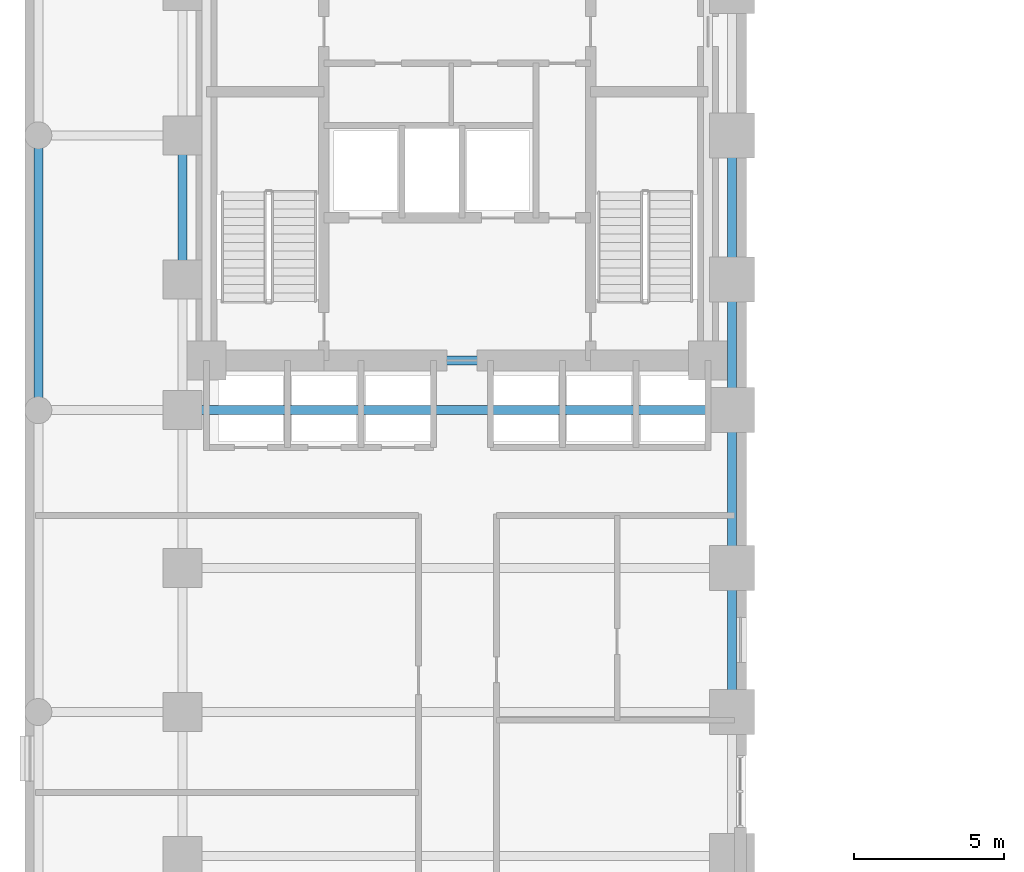
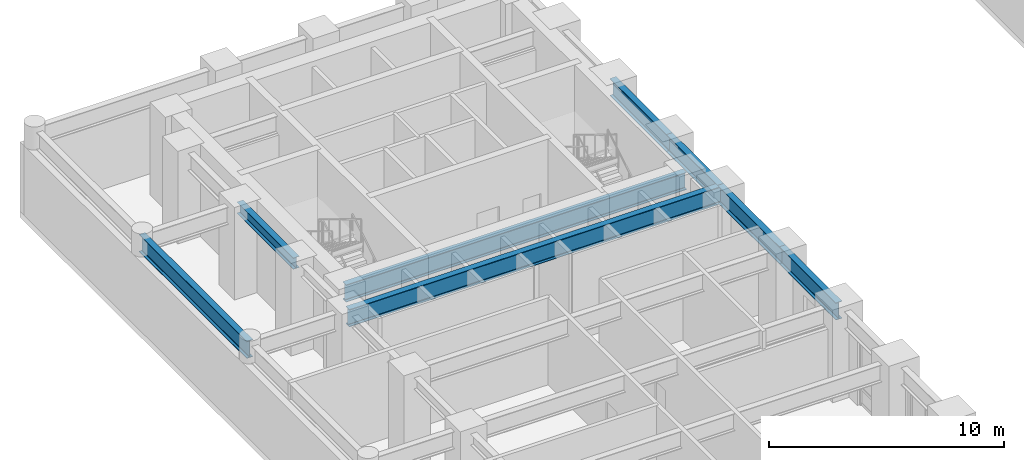
# One storey, part 3 of 11: 8 beams.
"""IFC4 building model written with IfcOpenShell, lengths in metres."""

from ifc_helpers import new_model, si_unit, direction, frame, origin, origin_2d, place, context, subcontext, project, spatial, i_section, extrude, material, material_profile, profile_set, type_object, element, save


model = new_model("IFC4")

# Units and contexts
model_context = context("Model", 3, precision=1e-05, world=origin(), true_north=direction((0.0, 1.0)))
body_context = subcontext(model_context, "Body", "Model", "MODEL_VIEW")
ifc_project = project(units=[si_unit("LENGTHUNIT", "METRE"), si_unit("AREAUNIT", "SQUARE_METRE"), si_unit("VOLUMEUNIT", "CUBIC_METRE"), si_unit("PLANEANGLEUNIT", "RADIAN"), si_unit("MASSUNIT", "GRAM", prefix="KILO")], contexts=[model_context])

# Site, building, storey
site_placement = place(None, origin())
site = spatial("IfcSite", under=ifc_project, at=site_placement, CompositionType="ELEMENT")
building_placement = place(site_placement, origin())
building = spatial("IfcBuilding", under=site, at=building_placement, Name="Orvandelia Arch Residences", CompositionType="ELEMENT")
storey_placement = place(building_placement, frame((0.0, 0.0, 5.199951171875)))
storey = spatial("IfcBuildingStorey", under=building, at=storey_placement, Name="L01", CompositionType="ELEMENT", Elevation=5.199951171875)

# Beams
ifc_material_1 = material(Name="Structural Steel HSA650 (650 MPa)", Category="steel")
ifc_material_profile_1 = material_profile(ifc_material_1, i_section(OverallWidth=0.300048828125, OverallDepth=0.89990234375, WebThickness=0.01611328125, FlangeThickness=0.028076171875, FilletRadius=0.028076171875, at=origin_2d()), Name="Structural Steel HSA650 (650 MPa)", Category="steel")
ifc_profile_set_1 = profile_set([ifc_material_profile_1], Name="Structural Steel HSA650 (650 MPa)")
beam_type_1 = type_object("IfcBeamType", Name="BM-GRD-H900", PredefinedType="BEAM", material=ifc_profile_set_1)
beam_1_placement = place(storey_placement, frame((0.449951171875, 29.25, 4.070068359375), z_axis=(0.0, 1.0, 0.0), x_axis=(-1.0, 0.0, 0.0)))
element("IfcBeam", 1, at=beam_1_placement, inside=storey, type_object=beam_type_1, Name="Structural Frame Beam L01-NS-003", PredefinedType="BEAM", context=body_context, shape_type="SweptSolid", body=[
    extrude(i_section(OverallWidth=0.300048828125, OverallDepth=0.89990234375, WebThickness=0.01611328125, FlangeThickness=0.028076171875, FilletRadius=0.028076171875, at=origin_2d()), origin(), (0.0, 0.0, 1.0), 9.14990234375),
])
beam_2_placement = place(storey_placement, frame((23.550048828125, 19.199951171875, 4.070068359375), z_axis=(0.0, 1.0, 0.0), x_axis=(-1.0, 0.0, 0.0)))
element("IfcBeam", 2, at=beam_2_placement, inside=storey, type_object=beam_type_1, Name="Structural Frame Beam L01-NS-016", PredefinedType="BEAM", context=body_context, shape_type="SweptSolid", body=[
    extrude(i_section(OverallWidth=0.300048828125, OverallDepth=0.89990234375, WebThickness=0.01611328125, FlangeThickness=0.028076171875, FilletRadius=0.028076171875, at=origin_2d()), origin(), (0.0, 0.0, 1.0), 4.800048828125),
])
beam_3_placement = place(storey_placement, frame((23.550048828125, 24.0, 4.070068359375), z_axis=(0.0, 1.0, 0.0), x_axis=(-1.0, 0.0, 0.0)))
element("IfcBeam", 3, at=beam_3_placement, inside=storey, type_object=beam_type_1, Name="Structural Frame Beam L01-NS-017", PredefinedType="BEAM", context=body_context, shape_type="SweptSolid", body=[
    extrude(i_section(OverallWidth=0.300048828125, OverallDepth=0.89990234375, WebThickness=0.01611328125, FlangeThickness=0.028076171875, FilletRadius=0.028076171875, at=origin_2d()), origin(), (0.0, 0.0, 1.0), 5.25),
])
beam_4_placement = place(storey_placement, frame((23.550048828125, 29.25, 4.070068359375), z_axis=(0.0, 1.0, 0.0), x_axis=(-1.0, 0.0, 0.0)))
element("IfcBeam", 4, at=beam_4_placement, inside=storey, type_object=beam_type_1, Name="Structural Frame Beam L01-NS-018", PredefinedType="BEAM", context=body_context, shape_type="SweptSolid", body=[
    extrude(i_section(OverallWidth=0.300048828125, OverallDepth=0.89990234375, WebThickness=0.01611328125, FlangeThickness=0.028076171875, FilletRadius=0.028076171875, at=origin_2d()), origin(), (0.0, 0.0, 1.0), 4.35009765625),
])
beam_5_placement = place(storey_placement, frame((23.550048828125, 33.60009765625, 4.070068359375), z_axis=(0.0, 1.0, 0.0), x_axis=(-1.0, 0.0, 0.0)))
element("IfcBeam", 5, at=beam_5_placement, inside=storey, type_object=beam_type_1, Name="Structural Frame Beam L01-NS-019", PredefinedType="BEAM", context=body_context, shape_type="SweptSolid", body=[
    extrude(i_section(OverallWidth=0.300048828125, OverallDepth=0.89990234375, WebThickness=0.01611328125, FlangeThickness=0.028076171875, FilletRadius=0.028076171875, at=origin_2d()), origin(), (0.0, 0.0, 1.0), 4.7998046875),
])
beam_6_placement = place(storey_placement, frame((5.25, 29.25, 4.070068359375), z_axis=(1.0, 0.0, 0.0), x_axis=(0.0, 1.0, 0.0)))
element("IfcBeam", 6, at=beam_6_placement, inside=storey, type_object=beam_type_1, Name="Structural Frame Girder L01-EW-047", PredefinedType="BEAM", context=body_context, shape_type="SweptSolid", body=[
    extrude(i_section(OverallWidth=0.300048828125, OverallDepth=0.89990234375, WebThickness=0.01611328125, FlangeThickness=0.028076171875, FilletRadius=0.028076171875, at=origin_2d()), origin(), (0.0, 0.0, 1.0), 18.300048828125),
])
beam_7_placement = place(storey_placement, frame((6.050048828125, 30.89990234375, 4.070068359375), z_axis=(1.0, 0.0, 0.0), x_axis=(0.0, 1.0, 0.0)))
element("IfcBeam", 7, at=beam_7_placement, inside=storey, type_object=beam_type_1, Name="Structural Frame Girder L01-EW-051", PredefinedType="BEAM", context=body_context, shape_type="SweptSolid", body=[
    extrude(i_section(OverallWidth=0.300048828125, OverallDepth=0.89990234375, WebThickness=0.01611328125, FlangeThickness=0.028076171875, FilletRadius=0.028076171875, at=origin_2d()), origin(), (0.0, 0.0, 1.0), 16.699951171875),
])
ifc_material_2 = material(Name="Structural Steel SM355 (355 MPa)", Category="steel")
ifc_material_profile_2 = material_profile(ifc_material_2, i_section(OverallWidth=0.300048828125, OverallDepth=0.587890625, WebThickness=0.011962890625, FlangeThickness=0.02001953125, FilletRadius=0.02197265625, at=origin_2d()), Name="Structural Steel SM355 (355 MPa)", Category="steel")
ifc_profile_set_2 = profile_set([ifc_material_profile_2], Name="Structural Steel SM355 (355 MPa)")
beam_type_2 = type_object("IfcBeamType", Name="BM-SPN-H588", PredefinedType="SPANDREL", material=ifc_profile_set_2)
beam_8_placement = place(storey_placement, frame((5.25, 33.60009765625, 4.22607421875), z_axis=(0.0, 1.0, 0.0), x_axis=(-1.0, 0.0, 0.0)))
element("IfcBeam", 8, at=beam_8_placement, inside=storey, type_object=beam_type_2, Name="Structural Frame Beam L01-NS-010", PredefinedType="SPANDREL", context=body_context, shape_type="SweptSolid", body=[
    extrude(i_section(OverallWidth=0.300048828125, OverallDepth=0.587890625, WebThickness=0.011962890625, FlangeThickness=0.02001953125, FilletRadius=0.02197265625, at=origin_2d()), origin(), (0.0, 0.0, 1.0), 4.7998046875),
])

save(model, "model.ifc")
